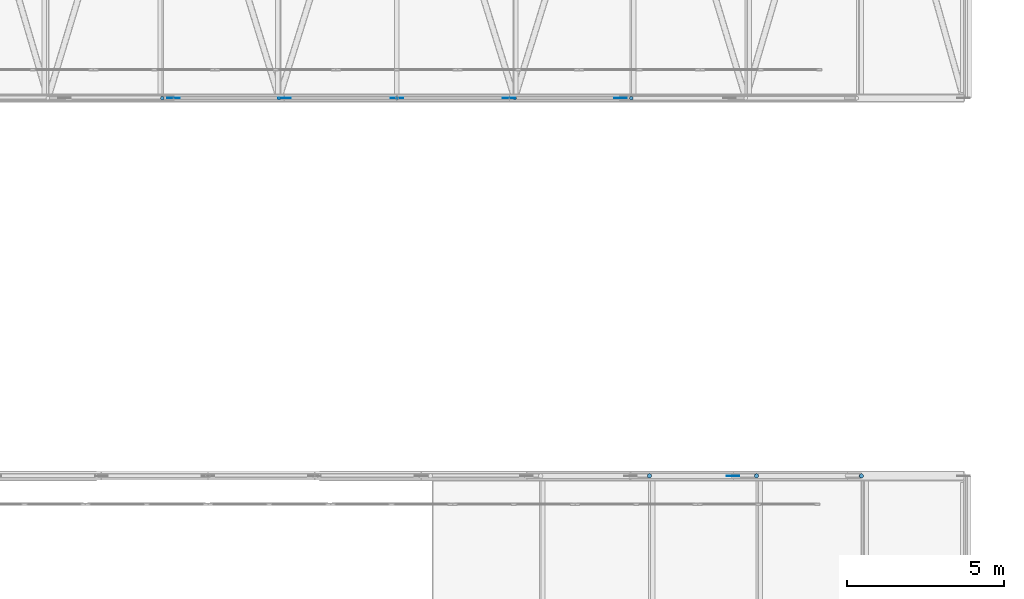
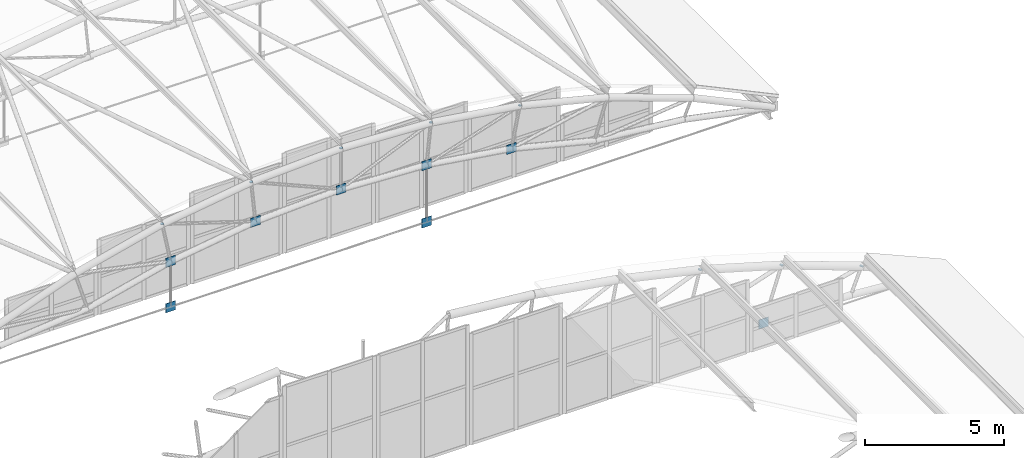
# One storey, part 292 of 321: 16 discrete accessories.
"""IFC4 building model written with IfcOpenShell, lengths in metres."""

from ifc_helpers import new_model, si_unit, direction, frame, origin, origin_2d, place, context, subcontext, project, spatial, rectangle, circle, extrude, material, material_profile, profile_set, type_object, element, save


model = new_model("IFC4")

# Units and contexts
model_context = context("Model", 3, precision=1e-05, world=origin(), true_north=direction((0.0, 1.0)))
body_context = subcontext(model_context, "Body", "Model", "MODEL_VIEW")
ifc_project = project(units=[si_unit("LENGTHUNIT", "METRE"), si_unit("AREAUNIT", "SQUARE_METRE"), si_unit("VOLUMEUNIT", "CUBIC_METRE"), si_unit("PLANEANGLEUNIT", "RADIAN"), si_unit("MASSUNIT", "GRAM", prefix="KILO")], contexts=[model_context])

# Site, building, storey
site_placement = place(None, origin())
site = spatial("IfcSite", under=ifc_project, at=site_placement, CompositionType="ELEMENT")
building_placement = place(site_placement, origin())
building = spatial("IfcBuilding", under=site, at=building_placement, Name="Ravi Spectrum Wholesale Market", CompositionType="ELEMENT")
storey_placement = place(building_placement, frame((0.0, 0.0, 10.800048828125)))
storey = spatial("IfcBuildingStorey", under=building, at=storey_placement, Name="L02", CompositionType="ELEMENT", Elevation=10.800048828125)

# Discrete accessories
ifc_material_1 = material(Name="Steel S355", Category="steel")
ifc_material_profile_1 = material_profile(ifc_material_1, circle(Radius=0.05712890625, at=origin_2d()))
ifc_profile_set_1 = profile_set([ifc_material_profile_1], Name="Steel S355")
discrete_accessory_type_1 = type_object("IfcDiscreteAccessoryType", Name="End plate CHS 114.3x4", PredefinedType="BRACKET", material=ifc_profile_set_1)
for number, where, z_axis, x_axis, name in (
    (1, (172.551513671875, 138.0, 3.767822265625), (-0.18428853505, 0.0, 0.982872186934), (0.0, -1.0, 0.0), "End plate"),
    (2, (176.2578125, 138.0, 4.31640625), (-0.101513688013, 0.0, 0.994834142531), (0.0, -1.0, 0.0), "End plate"),
    (3, (180.0, 138.0, 4.5), (0.0, 0.0, 1.0), (1.0, 0.0, 0.0), "End plate"),
    (4, (183.7421875, 138.0, 4.31640625), (0.101513688013, 0.0, 0.994834142531), (0.0, 1.0, 0.0), "End plate"),
    (5, (187.448486328125, 138.0, 3.767822265625), (0.18428853505, 0.0, 0.982872186934), (0.0, 1.0, 0.0), "End plate"),
):
    element("IfcDiscreteAccessory", number, at=place(storey_placement, frame(where, z_axis=z_axis, x_axis=x_axis)), inside=storey, type_object=discrete_accessory_type_1, Name=name, PredefinedType="BRACKET", context=body_context, shape_type="SweptSolid", body=[
        extrude(circle(Radius=0.05712890625, at=origin_2d()), origin(), (0.0, 0.0, 1.0), 0.011962890625),
    ])
ifc_material_2 = material(Name="Steel S355", Category="steel")
ifc_material_profile_2 = material_profile(ifc_material_2, circle(Radius=0.06982421875, at=origin_2d()))
ifc_profile_set_2 = profile_set([ifc_material_profile_2], Name="Steel S355")
discrete_accessory_type_2 = type_object("IfcDiscreteAccessoryType", Name="End plate CHS 139.7x5", PredefinedType="BRACKET", material=ifc_profile_set_2)
for number, where, z_axis, x_axis, name in (
    (6, (188.02197265625, 126.0, 3.6171875), (0.247383245266, 0.0, 0.968917710624), (0.0, 1.0, 0.0), "End plate"),
    (7, (191.422119140625, 126.0, 2.62255859375), (0.304040173793, 0.0, 0.952659211219), (0.0, 1.0, 0.0), "End plate"),
    (8, (194.75244140625, 126.0, 1.415283203125), (0.364399348581, 0.0, 0.931242779706), (0.0, 1.0, 0.0), "End plate"),
):
    element("IfcDiscreteAccessory", number, at=place(storey_placement, frame(where, z_axis=z_axis, x_axis=x_axis)), inside=storey, type_object=discrete_accessory_type_2, Name=name, PredefinedType="BRACKET", context=body_context, shape_type="SweptSolid", body=[
        extrude(circle(Radius=0.06982421875, at=origin_2d()), origin(), (0.0, 0.0, 1.0), 0.011962890625),
    ])
ifc_material_3 = material(Name="Steel S355", Category="steel")
ifc_material_profile_3 = material_profile(ifc_material_3, rectangle(XDim=0.39990234375, YDim=0.02001953125, at=origin_2d()))
ifc_profile_set_3 = profile_set([ifc_material_profile_3], Name="Steel S355")
discrete_accessory_type_3 = type_object("IfcDiscreteAccessoryType", Name="Gusset plate 400x400x20", PredefinedType="BRACKET", material=ifc_profile_set_3)
for number, where, z_axis, x_axis, name in (
    (9, (172.902099609375, 138.0, -0.199951171875), (0.0, 0.0, 1.0), (1.0, 0.0, 0.0), "Gusset plate"),
    (10, (172.902099609375, 138.0, 1.80224609375), (0.0, 0.0, 1.0), (1.0, 0.0, 0.0), "Gusset plate"),
    (11, (176.433837890625, 138.0, 2.3251953125), (0.0, 0.0, 1.0), (1.0, 0.0, 0.0), "Gusset plate"),
    (12, (180.0, 138.0, 2.5), (0.0, 0.0, 1.0), (1.0, 0.0, 0.0), "Gusset plate"),
    (13, (183.566162109375, 138.0, -0.199951171875), (0.0, 0.0, 1.0), (1.0, 0.0, 0.0), "Gusset plate"),
    (14, (183.566162109375, 138.0, 2.3251953125), (0.0, 0.0, 1.0), (-1.0, 0.0, 0.0), "Gusset plate"),
    (15, (187.097900390625, 138.0, 1.80224609375), (0.0, 0.0, 1.0), (-1.0, 0.0, 0.0), "Gusset plate"),
):
    element("IfcDiscreteAccessory", number, at=place(storey_placement, frame(where, z_axis=z_axis, x_axis=x_axis)), inside=storey, type_object=discrete_accessory_type_3, Name=name, PredefinedType="BRACKET", context=body_context, shape_type="SweptSolid", body=[
        extrude(rectangle(XDim=0.39990234375, YDim=0.02001953125, at=origin_2d()), origin(), (0.0, 0.0, 1.0), 0.39990234375),
    ])
discrete_accessory_placement = place(storey_placement, frame((190.67578125, 126.0, 0.1416015625), z_axis=(0.0, 0.0, 1.0), x_axis=(-1.0, 0.0, 0.0)))
element("IfcDiscreteAccessory", 16, at=discrete_accessory_placement, inside=storey, type_object=discrete_accessory_type_3, Name="Gusset plate", PredefinedType="BRACKET", context=body_context, shape_type="SweptSolid", body=[
    extrude(rectangle(XDim=0.39990234375, YDim=0.02001953125, at=origin_2d()), origin(), (0.0, 0.0, 1.0), 0.400146484375),
])

save(model, "model.ifc")
